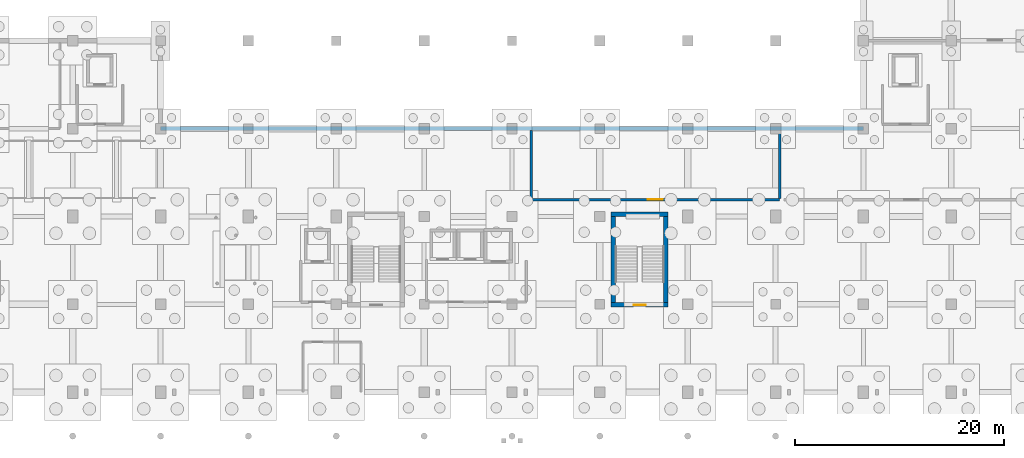
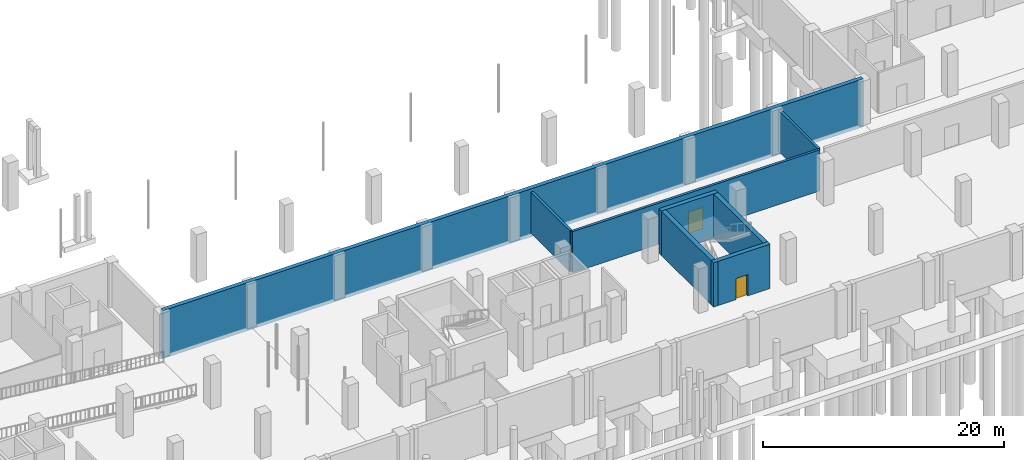
# One storey, part 33 of 39: 8 walls, 2 doors, 2 openings.
"""IFC4 building model written with IfcOpenShell, lengths in metres."""

from ifc_helpers import new_model, si_unit, derived_unit, direction, frame, frame_2d, origin, place, context, subcontext, project, spatial, rectangle, extrude, material, layer, layer_set, type_object, element, fill, save


model = new_model("IFC4")

# Units and contexts
model_context = context("Model", 3, precision=1e-05, world=origin(), true_north=direction((0.0, 1.0)))
body_context = subcontext(model_context, "Body", "Model", "MODEL_VIEW")
ifc_project = project(units=[si_unit("LENGTHUNIT", "METRE"), si_unit("AREAUNIT", "SQUARE_METRE"), si_unit("VOLUMEUNIT", "CUBIC_METRE"), si_unit("PLANEANGLEUNIT", "RADIAN"), si_unit("MASSUNIT", "GRAM", prefix="KILO"), derived_unit("THERMALTRANSMITTANCEUNIT", [(si_unit("POWERUNIT", "WATT"), 1), (si_unit("LENGTHUNIT", "METRE"), -2), (si_unit("THERMODYNAMICTEMPERATUREUNIT", "KELVIN"), -1)])], contexts=[model_context])

# Site, building, storey
site_placement = place(None, origin())
site = spatial("IfcSite", under=ifc_project, at=site_placement, CompositionType="ELEMENT")
building_placement = place(site_placement, origin())
building = spatial("IfcBuilding", under=site, at=building_placement, Name="Barrovel Congress Hotel", CompositionType="ELEMENT")
storey_placement = place(building_placement, frame((0.0, 0.0, -4.5)))
storey = spatial("IfcBuildingStorey", under=building, at=storey_placement, Name="B01", CompositionType="ELEMENT", Elevation=-4.5)

# Wall
ifc_material_1 = material(Name="Concrete C40", Category="concrete")
ifc_layer_1 = layer(ifc_material_1, 0.39990234375)
ifc_layer_set_1 = layer_set([ifc_layer_1], Name="Concrete C40")
wall_type_1 = type_object("IfcWallType", Name="EW-RET400", PredefinedType="STANDARD", material=ifc_layer_set_1)
wall_1_placement = place(storey_placement, frame((126.0, 29.39990234375, -0.360107421875), z_axis=(0.0, 0.0, 1.0), x_axis=(-1.0, 0.0, 0.0)))
element("IfcWall", 1, at=wall_1_placement, inside=storey, type_object=wall_type_1, Name="EW:B01:RET-05", PredefinedType="STANDARD", context=body_context, shape_type="SweptSolid", body=[
    extrude(rectangle(XDim=67.199951171875, YDim=0.39990234375, at=frame_2d((33.60009765625, 0.0))), origin(), (0.0, 0.0, 1.0), 4.860107421875),
])

# Wall, opening, door
ifc_material_2 = material(Name="Fired Clay Brick Masonry", Category="masonry")
ifc_layer_2 = layer(ifc_material_2, 0.239990234375)
ifc_layer_set_2 = layer_set([ifc_layer_2], Name="Fired Clay Brick Masonry")
wall_type_2 = type_object("IfcWallType", Name="PW-MAS-240", PredefinedType="PARTITIONING", material=ifc_layer_set_2)
wall_2_placement = place(storey_placement, frame((94.219970703125, 22.6201171875, 0.0), z_axis=(0.0, 0.0, 1.0), x_axis=(1.0, 0.0, 0.0)))
wall_2 = element("IfcWall", 2, at=wall_2_placement, inside=storey, type_object=wall_type_2, Name="RW:SP:B01:CHIL:S", PredefinedType="PARTITIONING", context=body_context, shape_type="SweptSolid", body=[
    extrude(rectangle(XDim=23.760009765625, YDim=0.239990234375, at=frame_2d((11.8798828125, 0.0))), origin(), (0.0, 0.0, 1.0), 4.175048828125),
])
opening_1_placement = place(wall_2_placement, frame((11.179931640625, 0.0, 0.0)))
opening_1 = element("IfcOpeningElement", 3, at=opening_1_placement, cuts=wall_2, Name="Opening ID-PLT", PredefinedType="OPENING", context=body_context, shape_type="SweptSolid", body=[
    extrude(rectangle(XDim=1.39990234375, YDim=2.199951171875, at=frame_2d((0.699951171875, 1.10009765625))), frame((0.0, 0.1298828125, 0.0), z_axis=(0.0, -1.0, 0.0), x_axis=(1.0, 0.0, 0.0)), (0.0, 0.0, 1.0), 0.260009765625),
])
ifc_material_3 = material(Name="Painted Hollow-Metal Steel Door", Category="steel")
door_type_1 = type_object("IfcDoorType", Name="IDR-ID-PLT", OperationType="NOTDEFINED", PredefinedType="DOOR", material=ifc_material_3)
door_1_placement = place(opening_1_placement, origin())
door_1 = element("IfcDoor", 4, at=door_1_placement, inside=storey, type_object=door_type_1, Name="RD:SP:B01:CHIL", OperationType="DOUBLE_DOOR_SINGLE_SWING", OverallHeight=2.199951171875, OverallWidth=1.39990234375, PredefinedType="DOOR", context=body_context, shape_type="SweptSolid", body=[
    extrude(rectangle(XDim=1.39990234375, YDim=2.199951171875, at=frame_2d((0.699951171875, 1.10009765625))), frame((0.0, 0.02490234375, 0.0), z_axis=(0.0, -1.0, 0.0), x_axis=(1.0, 0.0, 0.0)), (0.0, 0.0, 1.0), 0.050048828125),
])
fill(opening_1, door_1)

# Walls
for number, where, z_axis, x_axis, name in (
    (5, (94.219970703125, 22.739990234375, 0.0), (0.0, 0.0, 1.0), (0.0, 1.0, 0.0), "RW:SP:B01:CHIL:W"),
    (6, (117.97998046875, 22.739990234375, 0.0), (0.0, 0.0, 1.0), (0.0, 1.0, 0.0), "RW:SP:B01:CHIL:E"),
):
    element("IfcWall", number, at=place(storey_placement, frame(where, z_axis=z_axis, x_axis=x_axis)), inside=storey, type_object=wall_type_2, Name=name, PredefinedType="PARTITIONING", context=body_context, shape_type="SweptSolid", body=[
        extrude(rectangle(XDim=6.4599609375, YDim=0.239990234375, at=frame_2d((3.22998046875, 0.0))), origin(), (0.0, 0.0, 1.0), 4.175048828125),
    ])

# Wall, opening, door
ifc_material_4 = material(Name="Concrete C50", Category="concrete")
ifc_layer_3 = layer(ifc_material_4, 0.419921875)
ifc_layer_set_3 = layer_set([ifc_layer_3], Name="Concrete C50")
wall_type_3 = type_object("IfcWallType", Name="SW-C50-420", PredefinedType="SHEAR", material=ifc_layer_set_3)
wall_3_placement = place(storey_placement, frame((101.8798828125, 12.550048828125, 0.0), z_axis=(0.0, 0.0, 1.0), x_axis=(1.0, 0.0, 0.0)))
wall_3 = element("IfcWall", 7, at=wall_3_placement, inside=storey, type_object=wall_type_3, Name="SHW:XS-03:B01:S", PredefinedType="SHEAR", context=body_context, shape_type="SweptSolid", body=[
    extrude(rectangle(XDim=5.440185546875, YDim=0.419921875, at=frame_2d((2.72021484375, 0.0))), origin(), (0.0, 0.0, 1.0), 4.5),
])
opening_2_placement = place(wall_3_placement, frame((2.14501953125, 0.0, 0.0)))
opening_2 = element("IfcOpeningElement", 8, at=opening_2_placement, cuts=wall_3, Name="Opening ID-ST1", PredefinedType="OPENING", context=body_context, shape_type="SweptSolid", body=[
    extrude(rectangle(XDim=1.14990234375, YDim=2.14990234375, at=frame_2d((0.574951171875, 1.074951171875))), frame((0.0, 0.219970703125, 0.0), z_axis=(0.0, -1.0, 0.0), x_axis=(1.0, 0.0, 0.0)), (0.0, 0.0, 1.0), 0.43994140625),
])
door_type_2 = type_object("IfcDoorType", Name="IDR-ID-ST1", OperationType="NOTDEFINED", PredefinedType="DOOR", material=ifc_material_3)
door_2_placement = place(opening_2_placement, origin())
door_2 = element("IfcDoor", 9, at=door_2_placement, inside=storey, type_object=door_type_2, Name="Stair Core Fire Door XS-03-B01", OperationType="SINGLE_SWING_LEFT", OverallHeight=2.14990234375, OverallWidth=1.14990234375, PredefinedType="DOOR", context=body_context, shape_type="SweptSolid", body=[
    extrude(rectangle(XDim=1.14990234375, YDim=2.14990234375, at=frame_2d((0.574951171875, 1.074951171875))), frame((0.0, 0.02490234375, 0.0), z_axis=(0.0, -1.0, 0.0), x_axis=(1.0, 0.0, 0.0)), (0.0, 0.0, 1.0), 0.050048828125),
])
fill(opening_2, door_2)

# Walls
wall_4_placement = place(storey_placement, frame((107.110107421875, 12.340087890625, 0.0), z_axis=(0.0, 0.0, 1.0), x_axis=(0.0, 1.0, 0.0)))
element("IfcWall", 10, at=wall_4_placement, inside=storey, type_object=wall_type_3, Name="SHW:XS-03:B01:E", PredefinedType="SHEAR", context=body_context, shape_type="SweptSolid", body=[
    extrude(rectangle(XDim=9.079833984375, YDim=0.419921875, at=frame_2d((4.5400390625, 0.0))), origin(), (0.0, 0.0, 1.0), 4.5),
])
wall_5_placement = place(storey_placement, frame((107.320068359375, 21.2099609375, 0.0), z_axis=(0.0, 0.0, 1.0), x_axis=(-1.0, 0.0, 0.0)))
element("IfcWall", 11, at=wall_5_placement, inside=storey, type_object=wall_type_3, Name="SHW:XS-03:B01:N", PredefinedType="SHEAR", context=body_context, shape_type="SweptSolid", body=[
    extrude(rectangle(XDim=5.440185546875, YDim=0.419921875, at=frame_2d((2.72021484375, 0.0))), origin(), (0.0, 0.0, 1.0), 4.5),
])
wall_6_placement = place(storey_placement, frame((102.090087890625, 21.419921875, 0.0), z_axis=(0.0, 0.0, 1.0), x_axis=(0.0, -1.0, 0.0)))
element("IfcWall", 12, at=wall_6_placement, inside=storey, type_object=wall_type_3, Name="SHW:XS-03:B01:W", PredefinedType="SHEAR", context=body_context, shape_type="SweptSolid", body=[
    extrude(rectangle(XDim=9.079833984375, YDim=0.419921875, at=frame_2d((4.5400390625, 0.0))), origin(), (0.0, 0.0, 1.0), 4.5),
])

save(model, "model.ifc")
